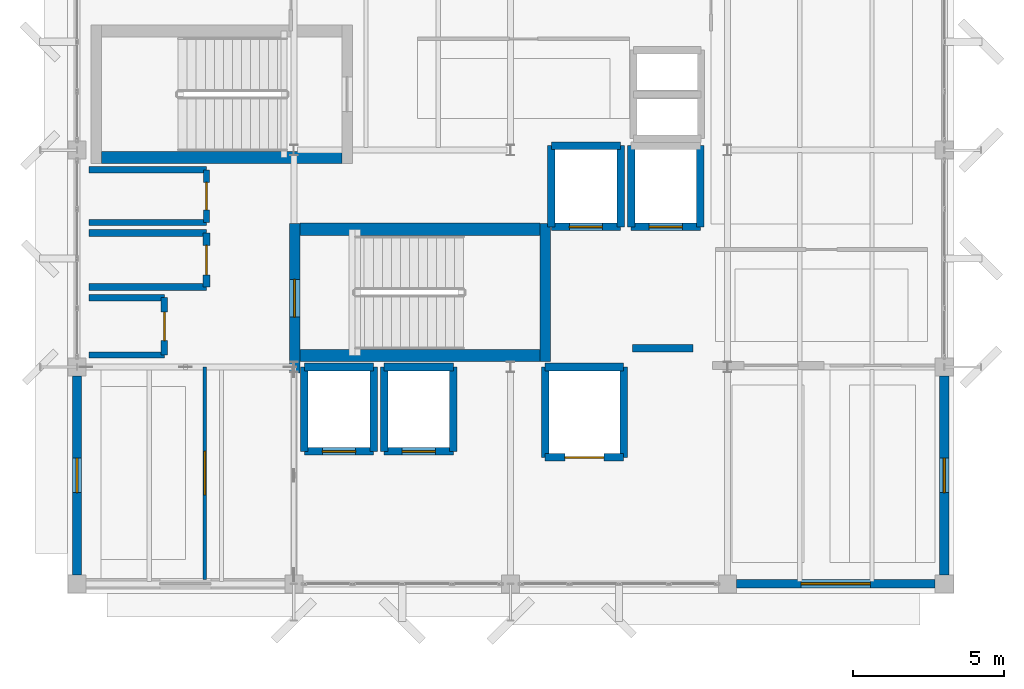
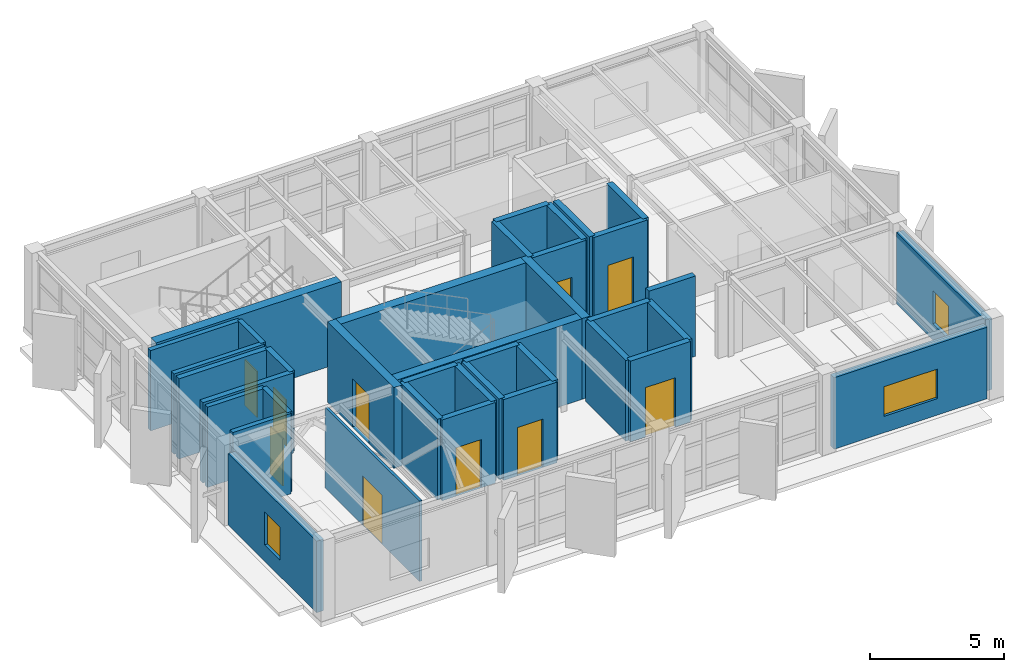
# One storey, part 11 of 15: 38 walls, 10 doors, 3 windows, 13 openings.
"""IFC4 building model written with IfcOpenShell, lengths in metres."""

from ifc_helpers import new_model, si_unit, direction, frame, frame_2d, origin, place, context, subcontext, project, spatial, rectangle, extrude, material, layer, layer_set, type_object, element, fill, save


model = new_model("IFC4")

# Units and contexts
model_context = context("Model", 3, precision=1e-05, world=origin(), true_north=direction((0.0, 1.0)))
body_context = subcontext(model_context, "Body", "Model", "MODEL_VIEW")
ifc_project = project(units=[si_unit("LENGTHUNIT", "METRE"), si_unit("AREAUNIT", "SQUARE_METRE"), si_unit("VOLUMEUNIT", "CUBIC_METRE"), si_unit("PLANEANGLEUNIT", "RADIAN"), si_unit("MASSUNIT", "GRAM", prefix="KILO")], contexts=[model_context])

# Site, building, storey
site_placement = place(None, origin())
site = spatial("IfcSite", under=ifc_project, at=site_placement, CompositionType="ELEMENT")
building_placement = place(site_placement, origin())
building = spatial("IfcBuilding", under=site, at=building_placement, Name="Kandorven Conservatory and Botanical Research Centre", CompositionType="ELEMENT")
storey_placement = place(building_placement, frame((0.0, 0.0, 48.300048828125)))
storey = spatial("IfcBuildingStorey", under=building, at=storey_placement, Name="L12", CompositionType="ELEMENT", Elevation=48.300048828125)

# Walls
ifc_material_1 = material(Name="Concrete C40/50 (M50)", Category="concrete")
ifc_layer_1 = layer(ifc_material_1, 0.39990234375)
ifc_layer_set_1 = layer_set([ifc_layer_1], Name="Concrete C40/50 (M50)")
wall_type_1 = type_object("IfcWallType", Name="Wall_CW-RC-1", PredefinedType="SHEAR", material=ifc_layer_set_1)
for number, where, z_axis, x_axis, name in (
    (1, (13.39990234375, 13.574951171875, 0.0), (0.0, 0.0, 1.0), (1.0, 0.0, 0.0), "Core stair shear wall CW-RC-1 ST-T1 L12 side A"),
    (2, (13.39990234375, 17.77490234375, 0.0), (0.0, 0.0, 1.0), (1.0, 0.0, 0.0), "Core stair shear wall CW-RC-1 ST-T1 L12 side B"),
    (3, (14.800048828125, 20.155029296875, 0.0), (0.0, 0.0, 1.0), (-1.0, 0.0, 0.0), "Core stair shear wall CW-RC-1 ST-T2 L12 side B"),
):
    element("IfcWall", number, at=place(storey_placement, frame(where, z_axis=z_axis, x_axis=x_axis)), inside=storey, type_object=wall_type_1, Name=name, PredefinedType="SHEAR", context=body_context, shape_type="SweptSolid", body=[
        extrude(rectangle(XDim=7.97998046875, YDim=0.39990234375, at=frame_2d((3.989990234375, 0.0))), origin(), (0.0, 0.0, 1.0), 3.679931640625),
    ])

# Wall, opening, door
ifc_material_2 = material(Name="Concrete C40/50 (M50)", Category="concrete")
ifc_layer_2 = layer(ifc_material_2, 0.35009765625)
ifc_layer_set_2 = layer_set([ifc_layer_2], Name="Concrete C40/50 (M50)")
wall_type_2 = type_object("IfcWallType", Name="Wall_CW-RC-2", PredefinedType="SHEAR", material=ifc_layer_set_2)
wall_1_placement = place(storey_placement, frame((13.22509765625, 13.0, 0.0), z_axis=(0.0, 0.0, 1.0), x_axis=(0.0, 1.0, 0.0)))
wall_1 = element("IfcWall", 4, at=wall_1_placement, inside=storey, type_object=wall_type_2, Name="Core stair shear wall CW-RC-2 ST-T1 L12 entry", PredefinedType="SHEAR", context=body_context, shape_type="SweptSolid", body=[
    extrude(rectangle(XDim=4.969970703125, YDim=0.35009765625, at=frame_2d((2.48486328125, 0.0))), origin(), (0.0, 0.0, 1.0), 3.679931640625),
])
opening_1_placement = place(wall_1_placement, frame((1.860107421875, 0.0, 0.0)))
opening_1 = element("IfcOpeningElement", 5, at=opening_1_placement, cuts=wall_1, Name="Opening FD-1", PredefinedType="OPENING", context=body_context, shape_type="SweptSolid", body=[
    extrude(rectangle(XDim=1.25, YDim=2.199951171875, at=frame_2d((0.625, 1.10009765625))), frame((0.0, 0.18505859375, 0.0), z_axis=(0.0, -1.0, 0.0), x_axis=(1.0, 0.0, 0.0)), (0.0, 0.0, 1.0), 0.3701171875),
])
ifc_material_3 = material(Name="Galvanised hollow steel fire door assembly", Category="steel")
door_type_1 = type_object("IfcDoorType", Name="Door_FD-1", OperationType="NOTDEFINED", PredefinedType="DOOR", material=ifc_material_3)
door_1_placement = place(opening_1_placement, origin())
door_1 = element("IfcDoor", 6, at=door_1_placement, inside=storey, type_object=door_type_1, Name="Exit stair fire door FD-1 ST-T1 L12", OperationType="SINGLE_SWING_LEFT", OverallHeight=2.199951171875, OverallWidth=1.25, PredefinedType="DOOR", context=body_context, shape_type="SweptSolid", body=[
    extrude(rectangle(XDim=1.25, YDim=2.199951171875, at=frame_2d((0.625, 1.10009765625))), frame((0.0, 0.02490234375, 0.0), z_axis=(0.0, -1.0, 0.0), x_axis=(1.0, 0.0, 0.0)), (0.0, 0.0, 1.0), 0.050048828125),
])
fill(opening_1, door_1)

# Wall
wall_2_placement = place(storey_placement, frame((21.554931640625, 13.3798828125, 0.0), z_axis=(0.0, 0.0, 1.0), x_axis=(0.0, 1.0, 0.0)))
element("IfcWall", 7, at=wall_2_placement, inside=storey, type_object=wall_type_2, Name="Core stair shear wall CW-RC-2 ST-T1 L12 far", PredefinedType="SHEAR", context=body_context, shape_type="SweptSolid", body=[
    extrude(rectangle(XDim=4.590087890625, YDim=0.35009765625, at=frame_2d((2.294921875, 0.0))), origin(), (0.0, 0.0, 1.0), 3.679931640625),
])

# Wall, opening, door
wall_3_placement = place(storey_placement, frame((21.75, 17.85009765625, 0.0), z_axis=(0.0, 0.0, 1.0), x_axis=(1.0, 0.0, 0.0)))
wall_3 = element("IfcWall", 8, at=wall_3_placement, inside=storey, type_object=wall_type_2, Name="Lift shaft wall FFL-1 L12 S", PredefinedType="SHEAR", context=body_context, shape_type="SweptSolid", body=[
    extrude(rectangle(XDim=2.300048828125, YDim=0.25, at=frame_2d((1.14990234375, 0.0))), origin(), (0.0, 0.0, 1.0), 3.679931640625),
])
opening_2_placement = place(wall_3_placement, frame((0.60009765625, 0.0, 0.0)))
opening_2 = element("IfcOpeningElement", 9, at=opening_2_placement, cuts=wall_3, Name="Opening LD-01", PredefinedType="OPENING", context=body_context, shape_type="SweptSolid", body=[
    extrude(rectangle(XDim=1.10009765625, YDim=2.199951171875, at=frame_2d((0.550048828125, 1.10009765625))), frame((0.0, 0.135009765625, 0.0), z_axis=(0.0, -1.0, 0.0), x_axis=(1.0, 0.0, 0.0)), (0.0, 0.0, 1.0), 0.27001953125),
])
ifc_material_4 = material(Name="Anodised aluminium sliding landing door", Category="aluminium")
door_type_2 = type_object("IfcDoorType", Name="Door_LD-01", OperationType="DOUBLE_DOOR_SLIDING", PredefinedType="DOOR", material=ifc_material_4)
door_2_placement = place(opening_2_placement, origin())
door_2 = element("IfcDoor", 10, at=door_2_placement, inside=storey, type_object=door_type_2, Name="Lift landing sliding door LD-01 (FFL-1 L12)", OperationType="DOUBLE_DOOR_SLIDING", OverallHeight=2.199951171875, OverallWidth=1.10009765625, PredefinedType="DOOR", context=body_context, shape_type="SweptSolid", body=[
    extrude(rectangle(XDim=1.10009765625, YDim=2.199951171875, at=frame_2d((0.550048828125, 1.10009765625))), frame((0.0, 0.02490234375, 0.0), z_axis=(0.0, -1.0, 0.0), x_axis=(1.0, 0.0, 0.0)), (0.0, 0.0, 1.0), 0.050048828125),
])
fill(opening_2, door_2)

# Walls
wall_4_placement = place(storey_placement, frame((21.75, 20.550048828125, 0.0), z_axis=(0.0, 0.0, 1.0), x_axis=(1.0, 0.0, 0.0)))
element("IfcWall", 11, at=wall_4_placement, inside=storey, type_object=wall_type_2, Name="Lift shaft wall FFL-1 L12 N", PredefinedType="SHEAR", context=body_context, shape_type="SweptSolid", body=[
    extrude(rectangle(XDim=2.300048828125, YDim=0.25, at=frame_2d((1.14990234375, 0.0))), origin(), (0.0, 0.0, 1.0), 3.679931640625),
])
for number, where, z_axis, x_axis, name in (
    (12, (21.75, 17.85009765625, 0.0), (0.0, 0.0, 1.0), (0.0, 1.0, 0.0), "Lift shaft wall FFL-1 L12 W"),
    (13, (24.050048828125, 17.85009765625, 0.0), (0.0, 0.0, 1.0), (0.0, 1.0, 0.0), "Lift shaft wall FFL-1 L12 E"),
):
    element("IfcWall", number, at=place(storey_placement, frame(where, z_axis=z_axis, x_axis=x_axis)), inside=storey, type_object=wall_type_2, Name=name, PredefinedType="SHEAR", context=body_context, shape_type="SweptSolid", body=[
        extrude(rectangle(XDim=2.699951171875, YDim=0.25, at=frame_2d((1.35009765625, 0.0))), origin(), (0.0, 0.0, 1.0), 3.679931640625),
    ])

# Wall, opening, door
wall_5_placement = place(storey_placement, frame((24.39990234375, 17.85009765625, 0.0), z_axis=(0.0, 0.0, 1.0), x_axis=(1.0, 0.0, 0.0)))
wall_5 = element("IfcWall", 14, at=wall_5_placement, inside=storey, type_object=wall_type_2, Name="Lift shaft wall FFL-2 L12 S", PredefinedType="SHEAR", context=body_context, shape_type="SweptSolid", body=[
    extrude(rectangle(XDim=2.300048828125, YDim=0.25, at=frame_2d((1.14990234375, 0.0))), origin(), (0.0, 0.0, 1.0), 3.679931640625),
])
opening_3_placement = place(wall_5_placement, frame((0.60009765625, 0.0, 0.0)))
opening_3 = element("IfcOpeningElement", 15, at=opening_3_placement, cuts=wall_5, Name="Opening LD-01", PredefinedType="OPENING", context=body_context, shape_type="SweptSolid", body=[
    extrude(rectangle(XDim=1.10009765625, YDim=2.199951171875, at=frame_2d((0.550048828125, 1.10009765625))), frame((0.0, 0.135009765625, 0.0), z_axis=(0.0, -1.0, 0.0), x_axis=(1.0, 0.0, 0.0)), (0.0, 0.0, 1.0), 0.27001953125),
])
door_3_placement = place(opening_3_placement, origin())
door_3 = element("IfcDoor", 16, at=door_3_placement, inside=storey, type_object=door_type_2, Name="Lift landing sliding door LD-01 (FFL-2 L12)", OperationType="DOUBLE_DOOR_SLIDING", OverallHeight=2.199951171875, OverallWidth=1.10009765625, PredefinedType="DOOR", context=body_context, shape_type="SweptSolid", body=[
    extrude(rectangle(XDim=1.10009765625, YDim=2.199951171875, at=frame_2d((0.550048828125, 1.10009765625))), frame((0.0, 0.02490234375, 0.0), z_axis=(0.0, -1.0, 0.0), x_axis=(1.0, 0.0, 0.0)), (0.0, 0.0, 1.0), 0.050048828125),
])
fill(opening_3, door_3)

# Walls
for number, where, z_axis, x_axis, name in (
    (17, (24.39990234375, 17.85009765625, 0.0), (0.0, 0.0, 1.0), (0.0, 1.0, 0.0), "Lift shaft wall FFL-2 L12 W"),
    (18, (26.699951171875, 17.85009765625, 0.0), (0.0, 0.0, 1.0), (0.0, 1.0, 0.0), "Lift shaft wall FFL-2 L12 E"),
):
    element("IfcWall", number, at=place(storey_placement, frame(where, z_axis=z_axis, x_axis=x_axis)), inside=storey, type_object=wall_type_2, Name=name, PredefinedType="SHEAR", context=body_context, shape_type="SweptSolid", body=[
        extrude(rectangle(XDim=2.699951171875, YDim=0.25, at=frame_2d((1.35009765625, 0.0))), origin(), (0.0, 0.0, 1.0), 3.679931640625),
    ])

# Wall, opening, door
wall_6_placement = place(storey_placement, frame((13.550048828125, 10.39990234375, 0.0), z_axis=(0.0, 0.0, 1.0), x_axis=(1.0, 0.0, 0.0)))
wall_6 = element("IfcWall", 19, at=wall_6_placement, inside=storey, type_object=wall_type_2, Name="Lift shaft wall PL-1 L12 S", PredefinedType="SHEAR", context=body_context, shape_type="SweptSolid", body=[
    extrude(rectangle(XDim=2.300048828125, YDim=0.25, at=frame_2d((1.14990234375, 0.0))), origin(), (0.0, 0.0, 1.0), 3.679931640625),
])
opening_4_placement = place(wall_6_placement, frame((0.60009765625, 0.0, 0.0)))
opening_4 = element("IfcOpeningElement", 20, at=opening_4_placement, cuts=wall_6, Name="Opening LD-01", PredefinedType="OPENING", context=body_context, shape_type="SweptSolid", body=[
    extrude(rectangle(XDim=1.10009765625, YDim=2.199951171875, at=frame_2d((0.550048828125, 1.10009765625))), frame((0.0, 0.135009765625, 0.0), z_axis=(0.0, -1.0, 0.0), x_axis=(1.0, 0.0, 0.0)), (0.0, 0.0, 1.0), 0.27001953125),
])
door_4_placement = place(opening_4_placement, origin())
door_4 = element("IfcDoor", 21, at=door_4_placement, inside=storey, type_object=door_type_2, Name="Lift landing sliding door LD-01 (PL-1 L12)", OperationType="DOUBLE_DOOR_SLIDING", OverallHeight=2.199951171875, OverallWidth=1.10009765625, PredefinedType="DOOR", context=body_context, shape_type="SweptSolid", body=[
    extrude(rectangle(XDim=1.10009765625, YDim=2.199951171875, at=frame_2d((0.550048828125, 1.10009765625))), frame((0.0, 0.02490234375, 0.0), z_axis=(0.0, -1.0, 0.0), x_axis=(1.0, 0.0, 0.0)), (0.0, 0.0, 1.0), 0.050048828125),
])
fill(opening_4, door_4)

# Walls
wall_7_placement = place(storey_placement, frame((13.550048828125, 13.199951171875, 0.0), z_axis=(0.0, 0.0, 1.0), x_axis=(1.0, 0.0, 0.0)))
element("IfcWall", 22, at=wall_7_placement, inside=storey, type_object=wall_type_2, Name="Lift shaft wall PL-1 L12 N", PredefinedType="SHEAR", context=body_context, shape_type="SweptSolid", body=[
    extrude(rectangle(XDim=2.300048828125, YDim=0.25, at=frame_2d((1.14990234375, 0.0))), origin(), (0.0, 0.0, 1.0), 3.679931640625),
])
for number, where, z_axis, x_axis, name in (
    (23, (13.550048828125, 10.39990234375, 0.0), (0.0, 0.0, 1.0), (0.0, 1.0, 0.0), "Lift shaft wall PL-1 L12 W"),
    (24, (15.85009765625, 10.39990234375, 0.0), (0.0, 0.0, 1.0), (0.0, 1.0, 0.0), "Lift shaft wall PL-1 L12 E"),
):
    element("IfcWall", number, at=place(storey_placement, frame(where, z_axis=z_axis, x_axis=x_axis)), inside=storey, type_object=wall_type_2, Name=name, PredefinedType="SHEAR", context=body_context, shape_type="SweptSolid", body=[
        extrude(rectangle(XDim=2.800048828125, YDim=0.25, at=frame_2d((1.39990234375, 0.0))), origin(), (0.0, 0.0, 1.0), 3.679931640625),
    ])

# Wall, opening, door
wall_8_placement = place(storey_placement, frame((16.199951171875, 10.39990234375, 0.0), z_axis=(0.0, 0.0, 1.0), x_axis=(1.0, 0.0, 0.0)))
wall_8 = element("IfcWall", 25, at=wall_8_placement, inside=storey, type_object=wall_type_2, Name="Lift shaft wall PL-2 L12 S", PredefinedType="SHEAR", context=body_context, shape_type="SweptSolid", body=[
    extrude(rectangle(XDim=2.300048828125, YDim=0.25, at=frame_2d((1.14990234375, 0.0))), origin(), (0.0, 0.0, 1.0), 3.679931640625),
])
opening_5_placement = place(wall_8_placement, frame((0.60009765625, 0.0, 0.0)))
opening_5 = element("IfcOpeningElement", 26, at=opening_5_placement, cuts=wall_8, Name="Opening LD-01", PredefinedType="OPENING", context=body_context, shape_type="SweptSolid", body=[
    extrude(rectangle(XDim=1.10009765625, YDim=2.199951171875, at=frame_2d((0.550048828125, 1.10009765625))), frame((0.0, 0.135009765625, 0.0), z_axis=(0.0, -1.0, 0.0), x_axis=(1.0, 0.0, 0.0)), (0.0, 0.0, 1.0), 0.27001953125),
])
door_5_placement = place(opening_5_placement, origin())
door_5 = element("IfcDoor", 27, at=door_5_placement, inside=storey, type_object=door_type_2, Name="Lift landing sliding door LD-01 (PL-2 L12)", OperationType="DOUBLE_DOOR_SLIDING", OverallHeight=2.199951171875, OverallWidth=1.10009765625, PredefinedType="DOOR", context=body_context, shape_type="SweptSolid", body=[
    extrude(rectangle(XDim=1.10009765625, YDim=2.199951171875, at=frame_2d((0.550048828125, 1.10009765625))), frame((0.0, 0.02490234375, 0.0), z_axis=(0.0, -1.0, 0.0), x_axis=(1.0, 0.0, 0.0)), (0.0, 0.0, 1.0), 0.050048828125),
])
fill(opening_5, door_5)

# Walls
wall_9_placement = place(storey_placement, frame((16.199951171875, 13.199951171875, 0.0), z_axis=(0.0, 0.0, 1.0), x_axis=(1.0, 0.0, 0.0)))
element("IfcWall", 28, at=wall_9_placement, inside=storey, type_object=wall_type_2, Name="Lift shaft wall PL-2 L12 N", PredefinedType="SHEAR", context=body_context, shape_type="SweptSolid", body=[
    extrude(rectangle(XDim=2.300048828125, YDim=0.25, at=frame_2d((1.14990234375, 0.0))), origin(), (0.0, 0.0, 1.0), 3.679931640625),
])
for number, where, z_axis, x_axis, name in (
    (29, (16.199951171875, 10.39990234375, 0.0), (0.0, 0.0, 1.0), (0.0, 1.0, 0.0), "Lift shaft wall PL-2 L12 W"),
    (30, (18.5, 10.39990234375, 0.0), (0.0, 0.0, 1.0), (0.0, 1.0, 0.0), "Lift shaft wall PL-2 L12 E"),
):
    element("IfcWall", number, at=place(storey_placement, frame(where, z_axis=z_axis, x_axis=x_axis)), inside=storey, type_object=wall_type_2, Name=name, PredefinedType="SHEAR", context=body_context, shape_type="SweptSolid", body=[
        extrude(rectangle(XDim=2.800048828125, YDim=0.25, at=frame_2d((1.39990234375, 0.0))), origin(), (0.0, 0.0, 1.0), 3.679931640625),
    ])

# Wall, opening, door
wall_10_placement = place(storey_placement, frame((21.550048828125, 10.199951171875, 0.0), z_axis=(0.0, 0.0, 1.0), x_axis=(1.0, 0.0, 0.0)))
wall_10 = element("IfcWall", 31, at=wall_10_placement, inside=storey, type_object=wall_type_2, Name="Lift shaft wall GL-1 L12 S", PredefinedType="SHEAR", context=body_context, shape_type="SweptSolid", body=[
    extrude(rectangle(XDim=2.599853515625, YDim=0.25, at=frame_2d((1.2998046875, 0.0))), origin(), (0.0, 0.0, 1.0), 3.679931640625),
])
opening_6_placement = place(wall_10_placement, frame((0.64990234375, 0.0, 0.0)))
opening_6 = element("IfcOpeningElement", 32, at=opening_6_placement, cuts=wall_10, Name="Opening LD-02", PredefinedType="OPENING", context=body_context, shape_type="SweptSolid", body=[
    extrude(rectangle(XDim=1.300048828125, YDim=2.25, at=frame_2d((0.64990234375, 1.125))), frame((0.0, 0.135009765625, 0.0), z_axis=(0.0, -1.0, 0.0), x_axis=(1.0, 0.0, 0.0)), (0.0, 0.0, 1.0), 0.27001953125),
])
ifc_material_5 = material(Name="Anodised aluminium sliding landing door", Category="aluminium")
door_type_3 = type_object("IfcDoorType", Name="Door_LD-02", OperationType="DOUBLE_DOOR_SLIDING", PredefinedType="DOOR", material=ifc_material_5)
door_6_placement = place(opening_6_placement, origin())
door_6 = element("IfcDoor", 33, at=door_6_placement, inside=storey, type_object=door_type_3, Name="Lift landing sliding door LD-02 (GL-1 L12)", OperationType="DOUBLE_DOOR_SLIDING", OverallHeight=2.25, OverallWidth=1.300048828125, PredefinedType="DOOR", context=body_context, shape_type="SweptSolid", body=[
    extrude(rectangle(XDim=1.300048828125, YDim=2.25, at=frame_2d((0.64990234375, 1.125))), frame((0.0, 0.02490234375, 0.0), z_axis=(0.0, -1.0, 0.0), x_axis=(1.0, 0.0, 0.0)), (0.0, 0.0, 1.0), 0.050048828125),
])
fill(opening_6, door_6)

# Walls
wall_11_placement = place(storey_placement, frame((21.550048828125, 13.199951171875, 0.0), z_axis=(0.0, 0.0, 1.0), x_axis=(1.0, 0.0, 0.0)))
element("IfcWall", 34, at=wall_11_placement, inside=storey, type_object=wall_type_2, Name="Lift shaft wall GL-1 L12 N", PredefinedType="SHEAR", context=body_context, shape_type="SweptSolid", body=[
    extrude(rectangle(XDim=2.599853515625, YDim=0.25, at=frame_2d((1.2998046875, 0.0))), origin(), (0.0, 0.0, 1.0), 3.679931640625),
])
for number, where, z_axis, x_axis, name in (
    (35, (21.550048828125, 10.199951171875, 0.0), (0.0, 0.0, 1.0), (0.0, 1.0, 0.0), "Lift shaft wall GL-1 L12 W"),
    (36, (24.14990234375, 10.199951171875, 0.0), (0.0, 0.0, 1.0), (0.0, 1.0, 0.0), "Lift shaft wall GL-1 L12 E"),
):
    element("IfcWall", number, at=place(storey_placement, frame(where, z_axis=z_axis, x_axis=x_axis)), inside=storey, type_object=wall_type_2, Name=name, PredefinedType="SHEAR", context=body_context, shape_type="SweptSolid", body=[
        extrude(rectangle(XDim=3.0, YDim=0.25, at=frame_2d((1.5, 0.0))), origin(), (0.0, 0.0, 1.0), 3.679931640625),
    ])

# Wall, opening, window
ifc_material_6 = material(Name="Concrete C32/40 (M40)", Category="concrete")
ifc_layer_3 = layer(ifc_material_6, 0.300048828125)
ifc_layer_set_3 = layer_set([ifc_layer_3], Name="Concrete C32/40 (M40)")
wall_type_3 = type_object("IfcWallType", Name="Wall_EW-04", PredefinedType="STANDARD", material=ifc_layer_set_3)
wall_12_placement = place(storey_placement, frame((6.0, 6.300048828125, 0.0), z_axis=(0.0, 0.0, 1.0), x_axis=(0.0, 1.0, 0.0)))
wall_12 = element("IfcWall", 37, at=wall_12_placement, inside=storey, type_object=wall_type_3, Name="Tower concrete facade wall EW-04 W L12", PredefinedType="STANDARD", context=body_context, shape_type="SweptSolid", body=[
    extrude(rectangle(XDim=6.599853515625, YDim=0.300048828125, at=frame_2d((3.2998046875, 0.0))), origin(), (0.0, 0.0, 1.0), 3.260009765625),
])
opening_7_placement = place(wall_12_placement, frame((2.72509765625, 0.0, 0.75)))
opening_7 = element("IfcOpeningElement", 38, at=opening_7_placement, cuts=wall_12, Name="Opening W-39", PredefinedType="OPENING", context=body_context, shape_type="SweptSolid", body=[
    extrude(rectangle(XDim=1.14990234375, YDim=1.5, at=frame_2d((0.574951171875, 0.75))), frame((0.0, 0.159912109375, 0.0), z_axis=(0.0, -1.0, 0.0), x_axis=(1.0, 0.0, 0.0)), (0.0, 0.0, 1.0), 0.320068359375),
])
ifc_material_7 = material(Name="Double-glazed solar-control low-E glass", Category="glass")
window_type_1 = type_object("IfcWindowType", Name="Win_W-39", PartitioningType="DOUBLE_PANEL_VERTICAL", PredefinedType="WINDOW", material=ifc_material_7)
window_1_placement = place(opening_7_placement, origin())
window_1 = element("IfcWindow", 39, at=window_1_placement, inside=storey, type_object=window_type_1, Name="Tower recessed solar window W-39", OverallHeight=1.5, OverallWidth=1.14990234375, PartitioningType="SINGLE_PANEL", PredefinedType="WINDOW", context=body_context, shape_type="SweptSolid", body=[
    extrude(rectangle(XDim=1.14990234375, YDim=1.5, at=frame_2d((0.574951171875, 0.75))), frame((0.0, 0.030029296875, 0.0), z_axis=(0.0, -1.0, 0.0), x_axis=(1.0, 0.0, 0.0)), (0.0, 0.0, 1.0), 0.06005859375),
])
fill(opening_7, window_1)

wall_13_placement = place(storey_placement, frame((34.800048828125, 6.300048828125, 0.0), z_axis=(0.0, 0.0, 1.0), x_axis=(0.0, 1.0, 0.0)))
wall_13 = element("IfcWall", 40, at=wall_13_placement, inside=storey, type_object=wall_type_3, Name="Tower concrete facade wall EW-04 E L12", PredefinedType="STANDARD", context=body_context, shape_type="SweptSolid", body=[
    extrude(rectangle(XDim=6.599853515625, YDim=0.300048828125, at=frame_2d((3.2998046875, 0.0))), origin(), (0.0, 0.0, 1.0), 3.260009765625),
])
opening_8_placement = place(wall_13_placement, frame((2.72509765625, 0.0, 0.75)))
opening_8 = element("IfcOpeningElement", 41, at=opening_8_placement, cuts=wall_13, Name="Opening W-39", PredefinedType="OPENING", context=body_context, shape_type="SweptSolid", body=[
    extrude(rectangle(XDim=1.14990234375, YDim=1.5, at=frame_2d((0.574951171875, 0.75))), frame((0.0, 0.159912109375, 0.0), z_axis=(0.0, -1.0, 0.0), x_axis=(1.0, 0.0, 0.0)), (0.0, 0.0, 1.0), 0.320068359375),
])
window_2_placement = place(opening_8_placement, origin())
window_2 = element("IfcWindow", 42, at=window_2_placement, inside=storey, type_object=window_type_1, Name="Tower recessed solar window W-39", OverallHeight=1.5, OverallWidth=1.14990234375, PartitioningType="SINGLE_PANEL", PredefinedType="WINDOW", context=body_context, shape_type="SweptSolid", body=[
    extrude(rectangle(XDim=1.14990234375, YDim=1.5, at=frame_2d((0.574951171875, 0.75))), frame((0.0, 0.030029296875, 0.0), z_axis=(0.0, -1.0, 0.0), x_axis=(1.0, 0.0, 0.0)), (0.0, 0.0, 1.0), 0.06005859375),
])
fill(opening_8, window_2)

ifc_material_8 = material(Name="Concrete C32/40 (M40)", Category="concrete")
ifc_layer_4 = layer(ifc_material_8, 0.280029296875)
ifc_layer_set_4 = layer_set([ifc_layer_4], Name="Concrete C32/40 (M40)")
wall_type_4 = type_object("IfcWallType", Name="Wall_EW-05", PredefinedType="STANDARD", material=ifc_layer_set_4)
wall_14_placement = place(storey_placement, frame((27.89990234375, 6.0, 0.0), z_axis=(0.0, 0.0, 1.0), x_axis=(1.0, 0.0, 0.0)))
wall_14 = element("IfcWall", 43, at=wall_14_placement, inside=storey, type_object=wall_type_4, Name="Tower concrete facade wall EW-05 S L12", PredefinedType="STANDARD", context=body_context, shape_type="SweptSolid", body=[
    extrude(rectangle(XDim=6.60009765625, YDim=0.280029296875, at=frame_2d((3.300048828125, 0.0))), origin(), (0.0, 0.0, 1.0), 3.260009765625),
])
opening_9_placement = place(wall_14_placement, frame((2.14990234375, 0.0, 0.75)))
opening_9 = element("IfcOpeningElement", 44, at=opening_9_placement, cuts=wall_14, Name="Opening W-37", PredefinedType="OPENING", context=body_context, shape_type="SweptSolid", body=[
    extrude(rectangle(XDim=2.300048828125, YDim=1.35009765625, at=frame_2d((1.14990234375, 0.675048828125))), frame((0.0, 0.14990234375, 0.0), z_axis=(0.0, -1.0, 0.0), x_axis=(1.0, 0.0, 0.0)), (0.0, 0.0, 1.0), 0.300048828125),
])
ifc_material_9 = material(Name="Double-glazed solar-control low-E glass", Category="glass")
window_type_2 = type_object("IfcWindowType", Name="Win_W-37", PartitioningType="DOUBLE_PANEL_VERTICAL", PredefinedType="WINDOW", material=ifc_material_9)
window_3_placement = place(opening_9_placement, origin())
window_3 = element("IfcWindow", 45, at=window_3_placement, inside=storey, type_object=window_type_2, Name="Tower recessed solar window W-37", OverallHeight=1.35009765625, OverallWidth=2.300048828125, PartitioningType="SINGLE_PANEL", PredefinedType="WINDOW", context=body_context, shape_type="SweptSolid", body=[
    extrude(rectangle(XDim=2.300048828125, YDim=1.35009765625, at=frame_2d((1.14990234375, 0.675048828125))), frame((0.0, 0.030029296875, 0.0), z_axis=(0.0, -1.0, 0.0), x_axis=(1.0, 0.0, 0.0)), (0.0, 0.0, 1.0), 0.06005859375),
])
fill(opening_9, window_3)

# Wall, opening, door
ifc_material_10 = material(Name="Fire-rated acoustic gypsum board partition", Category="gypsum")
ifc_layer_5 = layer(ifc_material_10, 0.114013671875)
ifc_layer_set_5 = layer_set([ifc_layer_5], Name="Fire-rated acoustic gypsum board partition")
wall_type_5 = type_object("IfcWallType", Name="Wall_IW-12", PredefinedType="PARTITIONING", material=ifc_layer_set_5)
wall_15_placement = place(storey_placement, frame((10.25, 6.14990234375, 0.0), z_axis=(0.0, 0.0, 1.0), x_axis=(0.0, 1.0, 0.0)))
wall_15 = element("IfcWall", 46, at=wall_15_placement, inside=storey, type_object=wall_type_5, Name="Interior partition wall IW-12 (Herbarium Research Seminar Room L12)", PredefinedType="PARTITIONING", context=body_context, shape_type="SweptSolid", body=[
    extrude(rectangle(XDim=7.050048828125, YDim=0.114013671875, at=frame_2d((3.52490234375, 0.0))), origin(), (0.0, 0.0, 1.0), 3.659912109375),
])
opening_10_placement = place(wall_15_placement, frame((2.804931640625, 0.0, 0.0)))
opening_10 = element("IfcOpeningElement", 47, at=opening_10_placement, cuts=wall_15, Name="Opening D-25", PredefinedType="OPENING", context=body_context, shape_type="SweptSolid", body=[
    extrude(rectangle(XDim=1.43994140625, YDim=2.239990234375, at=frame_2d((0.719970703125, 1.1201171875))), frame((0.0, 0.06689453125, 0.0), z_axis=(0.0, -1.0, 0.0), x_axis=(1.0, 0.0, 0.0)), (0.0, 0.0, 1.0), 0.134033203125),
])
ifc_material_11 = material(Name="Solid core acoustic teak-veneered timber leaf", Category="wood")
door_type_4 = type_object("IfcDoorType", Name="Door_D-25", OperationType="NOTDEFINED", PredefinedType="DOOR", material=ifc_material_11)
door_7_placement = place(opening_10_placement, frame((1.43994140625, 0.0, 0.0), z_axis=(0.0, 0.0, 1.0), x_axis=(-1.0, 0.0, 0.0)))
door_7 = element("IfcDoor", 48, at=door_7_placement, inside=storey, type_object=door_type_4, Name="Interior door D-25 to Herbarium Research Seminar Room L12", OperationType="SINGLE_SWING_LEFT", OverallHeight=2.239990234375, OverallWidth=1.43994140625, PredefinedType="DOOR", context=body_context, shape_type="SweptSolid", body=[
    extrude(rectangle(XDim=1.43994140625, YDim=2.239990234375, at=frame_2d((0.719970703125, 1.1201171875))), frame((0.0, 0.02490234375, 0.0), z_axis=(0.0, -1.0, 0.0), x_axis=(1.0, 0.0, 0.0)), (0.0, 0.0, 1.0), 0.050048828125),
])
fill(opening_10, door_7)

# Wall
ifc_material_12 = material(Name="Concrete C32/40 (M40)", Category="concrete")
ifc_layer_6 = layer(ifc_material_12, 0.25)
ifc_layer_set_6 = layer_set([ifc_layer_6], Name="Concrete C32/40 (M40)")
wall_type_6 = type_object("IfcWallType", Name="Wall_IW-FR-1", PredefinedType="SOLIDWALL", material=ifc_layer_set_6)
wall_16_placement = place(storey_placement, frame((24.449951171875, 13.820068359375, 0.0), z_axis=(0.0, 0.0, 1.0), x_axis=(1.0, 0.0, 0.0)))
element("IfcWall", 49, at=wall_16_placement, inside=storey, type_object=wall_type_6, Name="Interior fire partition wall IW-FR-1 (Firefighting Lift Lobby L12)", PredefinedType="SOLIDWALL", context=body_context, shape_type="SweptSolid", body=[
    extrude(rectangle(XDim=2.0, YDim=0.25, at=frame_2d((1.0, 0.0))), origin(), (0.0, 0.0, 1.0), 3.659912109375),
])

# Wall, opening, door
ifc_material_13 = material(Name="Autoclaved aerated concrete blockwork masonry", Category="masonry")
ifc_layer_7 = layer(ifc_material_13, 0.22998046875)
ifc_layer_set_7 = layer_set([ifc_layer_7], Name="Autoclaved aerated concrete blockwork masonry")
wall_type_7 = type_object("IfcWallType", Name="Wall_PW-PL-1", PredefinedType="PLUMBINGWALL", material=ifc_layer_set_7)
wall_17_placement = place(storey_placement, frame((10.300048828125, 15.85009765625, 0.0), z_axis=(0.0, 0.0, 1.0), x_axis=(0.0, 1.0, 0.0)))
wall_17 = element("IfcWall", 50, at=wall_17_placement, inside=storey, type_object=wall_type_7, Name="Interior partition wall PW-PL-1 (Staff Female WC L12)", PredefinedType="PLUMBINGWALL", context=body_context, shape_type="SweptSolid", body=[
    extrude(rectangle(XDim=1.7998046875, YDim=0.22998046875, at=frame_2d((0.89990234375, 0.0))), origin(), (0.0, 0.0, 1.0), 3.659912109375),
])
opening_11_placement = place(wall_17_placement, frame((0.409912109375, 0.0, 0.0)))
opening_11 = element("IfcOpeningElement", 51, at=opening_11_placement, cuts=wall_17, Name="Opening D-12", PredefinedType="OPENING", context=body_context, shape_type="SweptSolid", body=[
    extrude(rectangle(XDim=0.97998046875, YDim=2.10009765625, at=frame_2d((0.489990234375, 1.050048828125))), frame((0.0, 0.125, 0.0), z_axis=(0.0, -1.0, 0.0), x_axis=(1.0, 0.0, 0.0)), (0.0, 0.0, 1.0), 0.25),
])
ifc_material_14 = material(Name="Solid core acoustic teak-veneered timber leaf", Category="wood")
door_type_5 = type_object("IfcDoorType", Name="Door_D-12", OperationType="NOTDEFINED", PredefinedType="DOOR", material=ifc_material_14)
door_8_placement = place(opening_11_placement, origin())
door_8 = element("IfcDoor", 52, at=door_8_placement, inside=storey, type_object=door_type_5, Name="Interior door D-12 to Staff Female WC L12", OperationType="SINGLE_SWING_RIGHT", OverallHeight=2.10009765625, OverallWidth=0.97998046875, PredefinedType="DOOR", context=body_context, shape_type="SweptSolid", body=[
    extrude(rectangle(XDim=0.97998046875, YDim=2.10009765625, at=frame_2d((0.489990234375, 1.050048828125))), frame((0.0, 0.02490234375, 0.0), z_axis=(0.0, -1.0, 0.0), x_axis=(1.0, 0.0, 0.0)), (0.0, 0.0, 1.0), 0.050048828125),
])
fill(opening_11, door_8)

# Walls
for number, where, z_axis, x_axis, name in (
    (53, (6.39990234375, 15.85009765625, 0.0), (0.0, 0.0, 1.0), (1.0, 0.0, 0.0), "Sanitary enclosure wall PW-PL-1 (Staff Female WC L12 S)"),
    (54, (6.39990234375, 17.64990234375, 0.0), (0.0, 0.0, 1.0), (1.0, 0.0, 0.0), "Sanitary enclosure wall PW-PL-1 (Staff Female WC L12 N)"),
):
    element("IfcWall", number, at=place(storey_placement, frame(where, z_axis=z_axis, x_axis=x_axis)), inside=storey, type_object=wall_type_7, Name=name, PredefinedType="PLUMBINGWALL", context=body_context, shape_type="SweptSolid", body=[
        extrude(rectangle(XDim=3.900146484375, YDim=0.22998046875, at=frame_2d((1.9501953125, 0.0))), origin(), (0.0, 0.0, 1.0), 3.659912109375),
    ])

# Wall, opening, door
ifc_material_15 = material(Name="Autoclaved aerated concrete blockwork masonry", Category="masonry")
ifc_layer_8 = layer(ifc_material_15, 0.205078125)
ifc_layer_set_8 = layer_set([ifc_layer_8], Name="Autoclaved aerated concrete blockwork masonry")
wall_type_8 = type_object("IfcWallType", Name="Wall_PW-PL-2", PredefinedType="PLUMBINGWALL", material=ifc_layer_set_8)
wall_18_placement = place(storey_placement, frame((8.89990234375, 13.60009765625, 0.0), z_axis=(0.0, 0.0, 1.0), x_axis=(0.0, 1.0, 0.0)))
wall_18 = element("IfcWall", 55, at=wall_18_placement, inside=storey, type_object=wall_type_8, Name="Interior partition wall PW-PL-2 (Accessible WC L12)", PredefinedType="PLUMBINGWALL", context=body_context, shape_type="SweptSolid", body=[
    extrude(rectangle(XDim=1.89990234375, YDim=0.205078125, at=frame_2d((0.949951171875, 0.0))), origin(), (0.0, 0.0, 1.0), 3.659912109375),
])
opening_12_placement = place(wall_18_placement, frame((0.47509765625, 0.0, 0.0)))
opening_12 = element("IfcOpeningElement", 56, at=opening_12_placement, cuts=wall_18, Name="Opening D-01", PredefinedType="OPENING", context=body_context, shape_type="SweptSolid", body=[
    extrude(rectangle(XDim=0.949951171875, YDim=2.14990234375, at=frame_2d((0.47509765625, 1.074951171875))), frame((0.0, 0.112548828125, 0.0), z_axis=(0.0, -1.0, 0.0), x_axis=(1.0, 0.0, 0.0)), (0.0, 0.0, 1.0), 0.22509765625),
])
ifc_material_16 = material(Name="Solid core acoustic teak-veneered timber leaf", Category="wood")
door_type_6 = type_object("IfcDoorType", Name="Door_D-01", OperationType="NOTDEFINED", PredefinedType="DOOR", material=ifc_material_16)
door_9_placement = place(opening_12_placement, origin())
door_9 = element("IfcDoor", 57, at=door_9_placement, inside=storey, type_object=door_type_6, Name="Interior door D-01 to Accessible WC L12", OperationType="SINGLE_SWING_LEFT", OverallHeight=2.14990234375, OverallWidth=0.949951171875, PredefinedType="DOOR", context=body_context, shape_type="SweptSolid", body=[
    extrude(rectangle(XDim=0.949951171875, YDim=2.14990234375, at=frame_2d((0.47509765625, 1.074951171875))), frame((0.0, 0.02490234375, 0.0), z_axis=(0.0, -1.0, 0.0), x_axis=(1.0, 0.0, 0.0)), (0.0, 0.0, 1.0), 0.050048828125),
])
fill(opening_12, door_9)

# Walls
for number, where, z_axis, x_axis, name in (
    (58, (6.39990234375, 13.60009765625, 0.0), (0.0, 0.0, 1.0), (1.0, 0.0, 0.0), "Sanitary enclosure wall PW-PL-2 (Accessible WC L12 S)"),
    (59, (6.39990234375, 15.5, 0.0), (0.0, 0.0, 1.0), (1.0, 0.0, 0.0), "Sanitary enclosure wall PW-PL-2 (Accessible WC L12 N)"),
):
    element("IfcWall", number, at=place(storey_placement, frame(where, z_axis=z_axis, x_axis=x_axis)), inside=storey, type_object=wall_type_8, Name=name, PredefinedType="PLUMBINGWALL", context=body_context, shape_type="SweptSolid", body=[
        extrude(rectangle(XDim=2.5, YDim=0.205078125, at=frame_2d((1.25, 0.0))), origin(), (0.0, 0.0, 1.0), 3.659912109375),
    ])

# Wall, opening, door
wall_19_placement = place(storey_placement, frame((10.300048828125, 18.0, 0.0), z_axis=(0.0, 0.0, 1.0), x_axis=(0.0, 1.0, 0.0)))
wall_19 = element("IfcWall", 60, at=wall_19_placement, inside=storey, type_object=wall_type_8, Name="Interior partition wall PW-PL-2 (Staff Male WC L12)", PredefinedType="PLUMBINGWALL", context=body_context, shape_type="SweptSolid", body=[
    extrude(rectangle(XDim=1.75, YDim=0.205078125, at=frame_2d((0.875, 0.0))), origin(), (0.0, 0.0, 1.0), 3.659912109375),
])
opening_13_placement = place(wall_19_placement, frame((0.4150390625, 0.0, 0.0)))
opening_13 = element("IfcOpeningElement", 61, at=opening_13_placement, cuts=wall_19, Name="Opening D-11", PredefinedType="OPENING", context=body_context, shape_type="SweptSolid", body=[
    extrude(rectangle(XDim=0.919921875, YDim=2.10009765625, at=frame_2d((0.4599609375, 1.050048828125))), frame((0.0, 0.112548828125, 0.0), z_axis=(0.0, -1.0, 0.0), x_axis=(1.0, 0.0, 0.0)), (0.0, 0.0, 1.0), 0.22509765625),
])
ifc_material_17 = material(Name="Solid core acoustic teak-veneered timber leaf", Category="wood")
door_type_7 = type_object("IfcDoorType", Name="Door_D-11", OperationType="NOTDEFINED", PredefinedType="DOOR", material=ifc_material_17)
door_10_placement = place(opening_13_placement, frame((0.919921875, 0.0, 0.0), z_axis=(0.0, 0.0, 1.0), x_axis=(-1.0, 0.0, 0.0)))
door_10 = element("IfcDoor", 62, at=door_10_placement, inside=storey, type_object=door_type_7, Name="Interior door D-11 to Staff Male WC L12", OperationType="SINGLE_SWING_LEFT", OverallHeight=2.10009765625, OverallWidth=0.919921875, PredefinedType="DOOR", context=body_context, shape_type="SweptSolid", body=[
    extrude(rectangle(XDim=0.919921875, YDim=2.10009765625, at=frame_2d((0.4599609375, 1.050048828125))), frame((0.0, 0.02490234375, 0.0), z_axis=(0.0, -1.0, 0.0), x_axis=(1.0, 0.0, 0.0)), (0.0, 0.0, 1.0), 0.050048828125),
])
fill(opening_13, door_10)

# Walls
for number, where, z_axis, x_axis, name in (
    (63, (6.39990234375, 18.0, 0.0), (0.0, 0.0, 1.0), (1.0, 0.0, 0.0), "Sanitary enclosure wall PW-PL-2 (Staff Male WC L12 S)"),
    (64, (6.39990234375, 19.75, 0.0), (0.0, 0.0, 1.0), (1.0, 0.0, 0.0), "Sanitary enclosure wall PW-PL-2 (Staff Male WC L12 N)"),
):
    element("IfcWall", number, at=place(storey_placement, frame(where, z_axis=z_axis, x_axis=x_axis)), inside=storey, type_object=wall_type_8, Name=name, PredefinedType="PLUMBINGWALL", context=body_context, shape_type="SweptSolid", body=[
        extrude(rectangle(XDim=3.900146484375, YDim=0.205078125, at=frame_2d((1.9501953125, 0.0))), origin(), (0.0, 0.0, 1.0), 3.659912109375),
    ])

save(model, "model.ifc")
